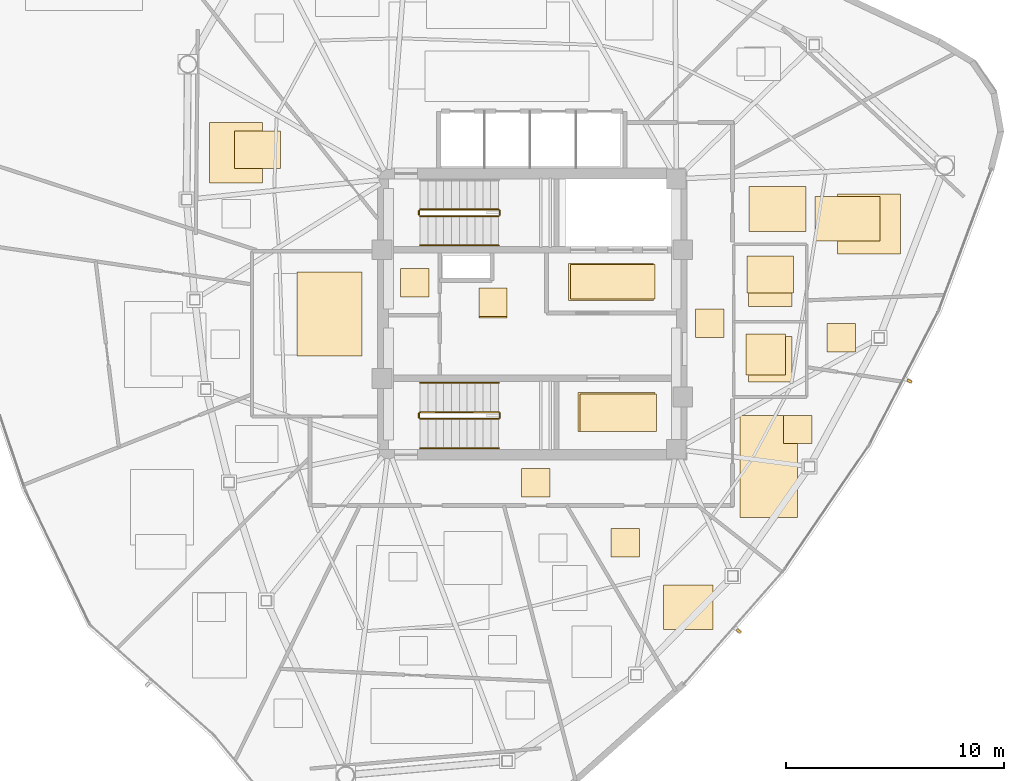
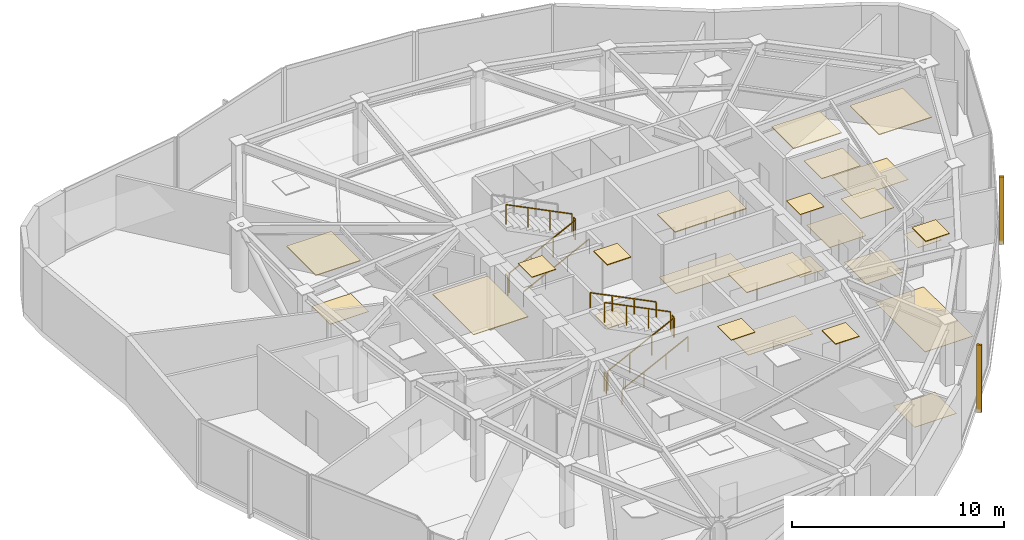
# One storey, part 12 of 13: 25 coverings, 11 railings, 2 shading devices.
"""IFC4 building model written with IfcOpenShell, lengths in metres."""

from ifc_helpers import new_model, si_unit, direction, frame, origin, origin_2d, place, context, subcontext, project, spatial, polyline, rectangle, outline, extrude, source, transform, mapped, material, layer, layer_set, type_object, type_shapes, element, save


model = new_model("IFC4")

# Units and contexts
model_context = context("Model", 3, precision=1e-05, world=origin(), true_north=direction((0.0, 1.0)))
body_context = subcontext(model_context, "Body", "Model", "MODEL_VIEW")
ifc_project = project(units=[si_unit("LENGTHUNIT", "METRE"), si_unit("AREAUNIT", "SQUARE_METRE"), si_unit("VOLUMEUNIT", "CUBIC_METRE"), si_unit("PLANEANGLEUNIT", "RADIAN"), si_unit("MASSUNIT", "GRAM", prefix="KILO")], contexts=[model_context])

# Site, building, storey
site_placement = place(None, origin())
site = spatial("IfcSite", under=ifc_project, at=site_placement, CompositionType="ELEMENT")
building_placement = place(site_placement, origin())
building = spatial("IfcBuilding", under=site, at=building_placement, Name="Tavelor Broadcast Tower", CompositionType="ELEMENT")
storey_placement = place(building_placement, frame((0.0, 0.0, 261.64990234375)))
storey = spatial("IfcBuildingStorey", under=building, at=storey_placement, Name="L62", CompositionType="ELEMENT", Elevation=261.64990234375)

# Coverings
ifc_material_1 = material(Name="Copper-Bronze Anodized Aluminium", Category="aluminium")
ifc_layer_1 = layer(ifc_material_1, 0.044921875)
ifc_layer_set_1 = layer_set([ifc_layer_1], Name="Copper-Bronze Anodized Aluminium")
covering_type_1 = type_object("IfcCoveringType", Name="Anodised Bronze Linear Slatted Concourse Ceiling 45 mm", PredefinedType="CEILING", material=ifc_layer_set_1)
covering_1_placement = place(storey_placement, frame((0.0, 0.0, 3.60498046875)))
element("IfcCovering", 1, at=covering_1_placement, inside=storey, type_object=covering_type_1, Name="L62 Suspended Acoustic Ceiling 2407", PredefinedType="CEILING", context=body_context, shape_type="SweptSolid", body=[
    extrude(outline(polyline([(51.659912109375, 45.6318359375), (55.55712890625, 45.6318359375), (55.55712890625, 47.328125), (51.659912109375, 47.328125), (51.659912109375, 45.6318359375)])), origin(), (0.0, 0.0, 1.0), 0.045166015625),
])
covering_2_placement = place(storey_placement, frame((0.0, 0.0, 3.60498046875)))
element("IfcCovering", 2, at=covering_2_placement, inside=storey, type_object=covering_type_1, Name="L62 Suspended Acoustic Ceiling 2409", PredefinedType="CEILING", context=body_context, shape_type="SweptSolid", body=[
    extrude(outline(polyline([(47.5400390625, 44.89794921875), (48.840087890625, 44.89794921875), (48.840087890625, 46.197998046875), (47.5400390625, 46.197998046875), (47.5400390625, 44.89794921875)])), origin(), (0.0, 0.0, 1.0), 0.045166015625),
])

# Railings
ifc_material_2 = material(Name="Steel S355", Category="steel")
railing_type_1 = type_object("IfcRailingType", Name="Continuous Brushed Stainless Handrail 900 mm", PredefinedType="HANDRAIL", material=ifc_material_2)
for number, where, name in (
    (3, (44.85009765625, 48.14990234375, 0.1796875), "L62 ST1 stair handrail 1"),
    (4, (44.85009765625, 38.85009765625, 0.1796875), "L62 ST2 stair handrail 1"),
):
    element("IfcRailing", number, at=place(storey_placement, frame(where)), inside=storey, type_object=railing_type_1, Name=name, PredefinedType="HANDRAIL", context=body_context, shape_type="SweptSolid", body=[
        extrude(rectangle(XDim=0.048095703125, YDim=0.048095703125, at=origin_2d()), frame((0.0, 0.0, 0.8759765625), z_axis=(0.894875846893, 0.0, 0.446315156192), x_axis=(0.0, 1.0, 0.0)), (0.0, 0.0, 1.0), 4.022705078125),
        extrude(rectangle(XDim=0.0419921875, YDim=0.0419921875, at=origin_2d()), origin(), (0.0, 0.0, 1.0), 0.851806640625),
        extrude(rectangle(XDim=0.0419921875, YDim=0.0419921875, at=origin_2d()), frame((1.199951171875, 0.0, 0.598388671875)), (0.0, 0.0, 1.0), 0.851806640625),
        extrude(rectangle(XDim=0.0419921875, YDim=0.0419921875, at=origin_2d()), frame((2.39990234375, 0.0, 1.197021484375)), (0.0, 0.0, 1.0), 0.851806640625),
        extrude(rectangle(XDim=0.0419921875, YDim=0.0419921875, at=origin_2d()), frame((3.599853515625, 0.0, 1.79541015625)), (0.0, 0.0, 1.0), 0.851806640625),
    ])
railing_1_placement = place(storey_placement, frame((48.449951171875, 41.85009765625, 2.154541015625)))
element("IfcRailing", 5, at=railing_1_placement, inside=storey, type_object=railing_type_1, Name="L62 ST2 stair handrail 2", PredefinedType="HANDRAIL", context=body_context, shape_type="SweptSolid", body=[
    extrude(rectangle(XDim=0.048095703125, YDim=0.048095703125, at=origin_2d()), frame((0.0, 0.0, 0.8759765625), z_axis=(-0.894851606799, 0.0, 0.446363755036), x_axis=(0.0, -1.0, 0.0)), (0.0, 0.0, 1.0), 4.02294921875),
    extrude(rectangle(XDim=0.0419921875, YDim=0.0419921875, at=origin_2d()), origin(), (0.0, 0.0, 1.0), 0.851806640625),
    extrude(rectangle(XDim=0.0419921875, YDim=0.0419921875, at=origin_2d()), frame((-1.199951171875, 0.0, 0.5986328125)), (0.0, 0.0, 1.0), 0.851806640625),
    extrude(rectangle(XDim=0.0419921875, YDim=0.0419921875, at=origin_2d()), frame((-2.39990234375, 0.0, 1.197021484375)), (0.0, 0.0, 1.0), 0.851806640625),
    extrude(rectangle(XDim=0.0419921875, YDim=0.0419921875, at=origin_2d()), frame((-3.599853515625, 0.0, 1.795654296875)), (0.0, 0.0, 1.0), 0.851806640625),
])

# Coverings
ifc_material_3 = material(Name="Architectural Anodized Aluminium", Category="aluminium")
ifc_layer_2 = layer(ifc_material_3, 0.034912109375)
ifc_layer_set_2 = layer_set([ifc_layer_2], Name="Architectural Anodized Aluminium")
covering_type_2 = type_object("IfcCoveringType", Name="Demountable Metal Tile Corridor Ceiling 35 mm", PredefinedType="CEILING", material=ifc_layer_set_2)
covering_3_placement = place(storey_placement, frame((0.0, 0.0, 3.614990234375)))
element("IfcCovering", 6, at=covering_3_placement, inside=storey, type_object=covering_type_2, Name="L62 Suspended Acoustic Ceiling 2411", PredefinedType="CEILING", context=body_context, shape_type="SweptSolid", body=[
    extrude(outline(polyline([(57.489990234375, 43.925048828125), (58.7900390625, 43.925048828125), (58.7900390625, 45.22509765625), (57.489990234375, 45.22509765625), (57.489990234375, 43.925048828125)])), origin(), (0.0, 0.0, 1.0), 0.03515625),
])
covering_4_placement = place(storey_placement, frame((0.0, 0.0, 3.614990234375)))
element("IfcCovering", 7, at=covering_4_placement, inside=storey, type_object=covering_type_2, Name="L62 Suspended Acoustic Ceiling 2412", PredefinedType="CEILING", context=body_context, shape_type="SweptSolid", body=[
    extrude(outline(polyline([(49.51025390625, 36.610107421875), (50.810302734375, 36.610107421875), (50.810302734375, 37.909912109375), (49.51025390625, 37.909912109375), (49.51025390625, 36.610107421875)])), origin(), (0.0, 0.0, 1.0), 0.03515625),
])
ifc_material_4 = material(Name="Acoustic Nylon Carpet Tile")
ifc_layer_3 = layer(ifc_material_4, 0.02001953125)
ifc_layer_set_3 = layer_set([ifc_layer_3], Name="Acoustic Nylon Carpet Tile")
covering_type_3 = type_object("IfcCoveringType", Name="Heavy-Duty Acoustic Broadcast Carpet Tile 20 mm", PredefinedType="FLOORING", material=ifc_layer_set_3)
covering_5_placement = place(storey_placement, origin())
element("IfcCovering", 8, at=covering_5_placement, inside=storey, type_object=covering_type_3, Name="L62 Broadcast Floor Finish 0911", PredefinedType="FLOORING", context=body_context, shape_type="SweptSolid", body=[
    extrude(outline(polyline([(52.176025390625, 39.611328125), (55.694091796875, 39.611328125), (55.694091796875, 41.341552734375), (52.176025390625, 41.341552734375), (52.176025390625, 39.611328125)])), origin(), (0.0, 0.0, 1.0), 0.02001953125),
])
covering_6_placement = place(storey_placement, origin())
element("IfcCovering", 9, at=covering_6_placement, inside=storey, type_object=covering_type_3, Name="L62 Broadcast Floor Finish 0913", PredefinedType="FLOORING", context=body_context, shape_type="SweptSolid", body=[
    extrude(outline(polyline([(57.489990234375, 43.925048828125), (58.7900390625, 43.925048828125), (58.7900390625, 45.22509765625), (57.489990234375, 45.22509765625), (57.489990234375, 43.925048828125)])), origin(), (0.0, 0.0, 1.0), 0.02001953125),
])
covering_7_placement = place(storey_placement, origin())
element("IfcCovering", 10, at=covering_7_placement, inside=storey, type_object=covering_type_3, Name="L62 Broadcast Floor Finish 0917", PredefinedType="FLOORING", context=body_context, shape_type="SweptSolid", body=[
    extrude(outline(polyline([(63.513671875, 43.259521484375), (64.813720703125, 43.259521484375), (64.813720703125, 44.559326171875), (63.513671875, 44.559326171875), (63.513671875, 43.259521484375)])), origin(), (0.0, 0.0, 1.0), 0.02001953125),
])
covering_8_placement = place(storey_placement, origin())
element("IfcCovering", 11, at=covering_8_placement, inside=storey, type_object=covering_type_3, Name="L62 Broadcast Floor Finish 0918", PredefinedType="FLOORING", context=body_context, shape_type="SweptSolid", body=[
    extrude(outline(polyline([(59.53271484375, 35.668212890625), (62.1533203125, 35.668212890625), (62.1533203125, 40.35009765625), (59.53271484375, 40.35009765625), (59.53271484375, 35.668212890625)])), origin(), (0.0, 0.0, 1.0), 0.02001953125),
])
covering_9_placement = place(storey_placement, origin())
element("IfcCovering", 12, at=covering_9_placement, inside=storey, type_object=covering_type_3, Name="L62 Broadcast Floor Finish 0919", PredefinedType="FLOORING", context=body_context, shape_type="SweptSolid", body=[
    extrude(outline(polyline([(56.0078125, 30.545166015625), (58.282958984375, 30.545166015625), (58.282958984375, 32.5751953125), (56.0078125, 32.5751953125), (56.0078125, 30.545166015625)])), origin(), (0.0, 0.0, 1.0), 0.02001953125),
])
covering_10_placement = place(storey_placement, origin())
element("IfcCovering", 13, at=covering_10_placement, inside=storey, type_object=covering_type_3, Name="L62 Broadcast Floor Finish 0923", PredefinedType="FLOORING", context=body_context, shape_type="SweptSolid", body=[
    extrude(outline(polyline([(36.34716796875, 51.6748046875), (38.45751953125, 51.6748046875), (38.45751953125, 53.391357421875), (36.34716796875, 53.391357421875), (36.34716796875, 51.6748046875)])), origin(), (0.0, 0.0, 1.0), 0.02001953125),
])
covering_11_placement = place(storey_placement, origin())
element("IfcCovering", 14, at=covering_11_placement, inside=storey, type_object=covering_type_3, Name="L62 Broadcast Floor Finish 0926", PredefinedType="FLOORING", context=body_context, shape_type="SweptSolid", body=[
    extrude(outline(polyline([(62.96875, 48.350341796875), (65.93603515625, 48.350341796875), (65.93603515625, 50.39599609375), (62.96875, 50.39599609375), (62.96875, 48.350341796875)])), origin(), (0.0, 0.0, 1.0), 0.02001953125),
])
ifc_material_5 = material(Name="Honed Natural Limestone Tile", Category="masonry")
ifc_layer_4 = layer(ifc_material_5, 0.030029296875)
ifc_layer_set_4 = layer_set([ifc_layer_4], Name="Honed Natural Limestone Tile")
covering_type_4 = type_object("IfcCoveringType", Name="Honed Jerusalem Limestone Concourse Flooring 30 mm", PredefinedType="FLOORING", material=ifc_layer_set_4)
covering_12_placement = place(storey_placement, origin())
element("IfcCovering", 15, at=covering_12_placement, inside=storey, type_object=covering_type_4, Name="L62 Broadcast Floor Finish 0910", PredefinedType="FLOORING", context=body_context, shape_type="SweptSolid", body=[
    extrude(outline(polyline([(51.7373046875, 45.689453125), (55.62255859375, 45.689453125), (55.62255859375, 47.2705078125), (51.7373046875, 47.2705078125), (51.7373046875, 45.689453125)])), origin(), (0.0, 0.0, 1.0), 0.030029296875),
])
covering_13_placement = place(storey_placement, origin())
element("IfcCovering", 16, at=covering_13_placement, inside=storey, type_object=covering_type_4, Name="L62 Broadcast Floor Finish 0912", PredefinedType="FLOORING", context=body_context, shape_type="SweptSolid", body=[
    extrude(outline(polyline([(47.5400390625, 44.818115234375), (48.840087890625, 44.818115234375), (48.840087890625, 46.117919921875), (47.5400390625, 46.117919921875), (47.5400390625, 44.818115234375)])), origin(), (0.0, 0.0, 1.0), 0.030029296875),
])
ifc_layer_5 = layer(ifc_material_3, 0.030029296875)
ifc_layer_set_5 = layer_set([ifc_layer_5], Name="Architectural Anodized Aluminium")
covering_type_5 = type_object("IfcCoveringType", Name="Moisture-Resistant Washroom Ceiling 30 mm", PredefinedType="CEILING", material=ifc_layer_set_5)
covering_14_placement = place(storey_placement, frame((0.0, 0.0, 3.6201171875)))
element("IfcCovering", 17, at=covering_14_placement, inside=storey, type_object=covering_type_5, Name="L62 Suspended Acoustic Ceiling 2414", PredefinedType="CEILING", context=body_context, shape_type="SweptSolid", body=[
    extrude(outline(polyline([(59.7958984375, 42.2060546875), (61.615966796875, 42.2060546875), (61.615966796875, 44.0830078125), (59.7958984375, 44.0830078125), (59.7958984375, 42.2060546875)])), origin(), (0.0, 0.0, 1.0), 0.030029296875),
])
covering_15_placement = place(storey_placement, frame((0.0, 0.0, 3.6201171875)))
element("IfcCovering", 18, at=covering_15_placement, inside=storey, type_object=covering_type_5, Name="L62 Suspended Acoustic Ceiling 2415", PredefinedType="CEILING", context=body_context, shape_type="SweptSolid", body=[
    extrude(outline(polyline([(59.85302734375, 45.971435546875), (61.967041015625, 45.971435546875), (61.967041015625, 47.668212890625), (59.85302734375, 47.668212890625), (59.85302734375, 45.971435546875)])), origin(), (0.0, 0.0, 1.0), 0.030029296875),
])
ifc_material_6 = material(Name="Slip-Resistant Porcelain Tile")
ifc_layer_6 = layer(ifc_material_6, 0.02490234375)
ifc_layer_set_6 = layer_set([ifc_layer_6], Name="Slip-Resistant Porcelain Tile")
covering_type_6 = type_object("IfcCoveringType", Name="Slip-Resistant Porcelain Wet-Area Floor Tile 25 mm", PredefinedType="FLOORING", material=ifc_layer_set_6)
covering_16_placement = place(storey_placement, origin())
element("IfcCovering", 19, at=covering_16_placement, inside=storey, type_object=covering_type_6, Name="L62 Broadcast Floor Finish 0915", PredefinedType="FLOORING", context=body_context, shape_type="SweptSolid", body=[
    extrude(outline(polyline([(59.91064453125, 41.885986328125), (61.909423828125, 41.885986328125), (61.909423828125, 43.964111328125), (59.91064453125, 43.964111328125), (59.91064453125, 41.885986328125)])), origin(), (0.0, 0.0, 1.0), 0.025146484375),
])
covering_17_placement = place(storey_placement, origin())
element("IfcCovering", 20, at=covering_17_placement, inside=storey, type_object=covering_type_6, Name="L62 Broadcast Floor Finish 0916", PredefinedType="FLOORING", context=body_context, shape_type="SweptSolid", body=[
    extrude(outline(polyline([(59.91064453125, 45.35009765625), (61.909423828125, 45.35009765625), (61.909423828125, 47.5), (59.91064453125, 47.5), (59.91064453125, 45.35009765625)])), origin(), (0.0, 0.0, 1.0), 0.025146484375),
])

# Railings
railing_type_2 = type_object("IfcRailingType", Name="Stairwell Steel Safety Guardrail 1150 mm", PredefinedType="GUARDRAIL", material=ifc_material_2)
railing_2_placement = place(storey_placement, frame((44.85009765625, 49.5, 0.1796875)))
element("IfcRailing", 21, at=railing_2_placement, inside=storey, type_object=railing_type_2, Name="L62 ST1 stair guard 1", PredefinedType="GUARDRAIL", context=body_context, shape_type="SweptSolid", body=[
    extrude(rectangle(XDim=0.048095703125, YDim=0.048095703125, at=origin_2d()), frame((0.0, 0.0, 1.1259765625), z_axis=(0.894875846893, 0.0, 0.446315156192), x_axis=(0.0, 1.0, 0.0)), (0.0, 0.0, 1.0), 4.022705078125),
    extrude(rectangle(XDim=0.0419921875, YDim=0.0419921875, at=origin_2d()), origin(), (0.0, 0.0, 1.0), 1.101806640625),
    extrude(rectangle(XDim=0.0419921875, YDim=0.0419921875, at=origin_2d()), frame((1.199951171875, 0.0, 0.598388671875)), (0.0, 0.0, 1.0), 1.101806640625),
    extrude(rectangle(XDim=0.0419921875, YDim=0.0419921875, at=origin_2d()), frame((2.39990234375, 0.0, 1.197021484375)), (0.0, 0.0, 1.0), 1.101806640625),
    extrude(rectangle(XDim=0.0419921875, YDim=0.0419921875, at=origin_2d()), frame((3.599853515625, 0.0, 1.79541015625)), (0.0, 0.0, 1.0), 1.101806640625),
])
railing_3_placement = place(storey_placement, frame((48.5, 49.550048828125, 1.97509765625)))
element("IfcRailing", 22, at=railing_3_placement, inside=storey, type_object=railing_type_2, Name="L62 ST1 stair guard 2", PredefinedType="GUARDRAIL", context=body_context, shape_type="SweptSolid", body=[
    extrude(rectangle(XDim=0.048095703125, YDim=0.048095703125, at=origin_2d()), frame((0.0, 0.0, 1.1259765625), z_axis=(0.0, 1.0, 0.0), x_axis=(-1.0, 0.0, 0.0)), (0.0, 0.0, 1.0), 0.199951171875),
    extrude(rectangle(XDim=0.0419921875, YDim=0.0419921875, at=origin_2d()), origin(), (0.0, 0.0, 1.0), 1.101806640625),
    extrude(rectangle(XDim=0.0419921875, YDim=0.0419921875, at=origin_2d()), frame((0.0, 0.199951171875, 0.0)), (0.0, 0.0, 1.0), 1.101806640625),
])
railing_4_placement = place(storey_placement, frame((48.449951171875, 49.800048828125, 2.154541015625)))
element("IfcRailing", 23, at=railing_4_placement, inside=storey, type_object=railing_type_2, Name="L62 ST1 stair guard 3", PredefinedType="GUARDRAIL", context=body_context, shape_type="SweptSolid", body=[
    extrude(rectangle(XDim=0.048095703125, YDim=0.048095703125, at=origin_2d()), frame((0.0, 0.0, 1.1259765625), z_axis=(-0.894851606799, 0.0, 0.446363755036), x_axis=(0.0, -1.0, 0.0)), (0.0, 0.0, 1.0), 4.02294921875),
    extrude(rectangle(XDim=0.0419921875, YDim=0.0419921875, at=origin_2d()), origin(), (0.0, 0.0, 1.0), 1.101806640625),
    extrude(rectangle(XDim=0.0419921875, YDim=0.0419921875, at=origin_2d()), frame((-1.199951171875, 0.0, 0.5986328125)), (0.0, 0.0, 1.0), 1.101806640625),
    extrude(rectangle(XDim=0.0419921875, YDim=0.0419921875, at=origin_2d()), frame((-2.39990234375, 0.0, 1.197021484375)), (0.0, 0.0, 1.0), 1.101806640625),
    extrude(rectangle(XDim=0.0419921875, YDim=0.0419921875, at=origin_2d()), frame((-3.599853515625, 0.0, 1.795654296875)), (0.0, 0.0, 1.0), 1.101806640625),
])
railing_5_placement = place(storey_placement, frame((44.800048828125, 49.550048828125, 0.0)))
element("IfcRailing", 24, at=railing_5_placement, inside=storey, type_object=railing_type_2, Name="L62 ST1 stair guard 4", PredefinedType="GUARDRAIL", context=body_context, shape_type="SweptSolid", body=[
    extrude(rectangle(XDim=0.048095703125, YDim=0.048095703125, at=origin_2d()), frame((0.0, 0.0, 1.1259765625), z_axis=(0.0, 1.0, 0.0), x_axis=(-1.0, 0.0, 0.0)), (0.0, 0.0, 1.0), 0.199951171875),
    extrude(rectangle(XDim=0.0419921875, YDim=0.0419921875, at=origin_2d()), origin(), (0.0, 0.0, 1.0), 1.101806640625),
    extrude(rectangle(XDim=0.0419921875, YDim=0.0419921875, at=origin_2d()), frame((0.0, 0.199951171875, 0.0)), (0.0, 0.0, 1.0), 1.101806640625),
])
railing_6_placement = place(storey_placement, frame((44.85009765625, 40.199951171875, 0.1796875)))
element("IfcRailing", 25, at=railing_6_placement, inside=storey, type_object=railing_type_2, Name="L62 ST2 stair guard 1", PredefinedType="GUARDRAIL", context=body_context, shape_type="SweptSolid", body=[
    extrude(rectangle(XDim=0.048095703125, YDim=0.048095703125, at=origin_2d()), frame((0.0, 0.0, 1.1259765625), z_axis=(0.894875846893, 0.0, 0.446315156192), x_axis=(0.0, 1.0, 0.0)), (0.0, 0.0, 1.0), 4.022705078125),
    extrude(rectangle(XDim=0.0419921875, YDim=0.0419921875, at=origin_2d()), origin(), (0.0, 0.0, 1.0), 1.101806640625),
    extrude(rectangle(XDim=0.0419921875, YDim=0.0419921875, at=origin_2d()), frame((1.199951171875, 0.0, 0.598388671875)), (0.0, 0.0, 1.0), 1.101806640625),
    extrude(rectangle(XDim=0.0419921875, YDim=0.0419921875, at=origin_2d()), frame((2.39990234375, 0.0, 1.197021484375)), (0.0, 0.0, 1.0), 1.101806640625),
    extrude(rectangle(XDim=0.0419921875, YDim=0.0419921875, at=origin_2d()), frame((3.599853515625, 0.0, 1.79541015625)), (0.0, 0.0, 1.0), 1.101806640625),
])
railing_7_placement = place(storey_placement, frame((48.5, 40.25, 1.97509765625)))
element("IfcRailing", 26, at=railing_7_placement, inside=storey, type_object=railing_type_2, Name="L62 ST2 stair guard 2", PredefinedType="GUARDRAIL", context=body_context, shape_type="SweptSolid", body=[
    extrude(rectangle(XDim=0.048095703125, YDim=0.048095703125, at=origin_2d()), frame((0.0, 0.0, 1.1259765625), z_axis=(0.0, 1.0, 0.0), x_axis=(-1.0, 0.0, 0.0)), (0.0, 0.0, 1.0), 0.199951171875),
    extrude(rectangle(XDim=0.0419921875, YDim=0.0419921875, at=origin_2d()), origin(), (0.0, 0.0, 1.0), 1.101806640625),
    extrude(rectangle(XDim=0.0419921875, YDim=0.0419921875, at=origin_2d()), frame((0.0, 0.199951171875, 0.0)), (0.0, 0.0, 1.0), 1.101806640625),
])
railing_8_placement = place(storey_placement, frame((48.449951171875, 40.5, 2.154541015625)))
element("IfcRailing", 27, at=railing_8_placement, inside=storey, type_object=railing_type_2, Name="L62 ST2 stair guard 3", PredefinedType="GUARDRAIL", context=body_context, shape_type="SweptSolid", body=[
    extrude(rectangle(XDim=0.048095703125, YDim=0.048095703125, at=origin_2d()), frame((0.0, 0.0, 1.1259765625), z_axis=(-0.894851606799, 0.0, 0.446363755036), x_axis=(0.0, -1.0, 0.0)), (0.0, 0.0, 1.0), 4.02294921875),
    extrude(rectangle(XDim=0.0419921875, YDim=0.0419921875, at=origin_2d()), origin(), (0.0, 0.0, 1.0), 1.101806640625),
    extrude(rectangle(XDim=0.0419921875, YDim=0.0419921875, at=origin_2d()), frame((-1.199951171875, 0.0, 0.5986328125)), (0.0, 0.0, 1.0), 1.101806640625),
    extrude(rectangle(XDim=0.0419921875, YDim=0.0419921875, at=origin_2d()), frame((-2.39990234375, 0.0, 1.197021484375)), (0.0, 0.0, 1.0), 1.101806640625),
    extrude(rectangle(XDim=0.0419921875, YDim=0.0419921875, at=origin_2d()), frame((-3.599853515625, 0.0, 1.795654296875)), (0.0, 0.0, 1.0), 1.101806640625),
])
railing_9_placement = place(storey_placement, frame((44.800048828125, 40.25, 0.0)))
element("IfcRailing", 28, at=railing_9_placement, inside=storey, type_object=railing_type_2, Name="L62 ST2 stair guard 4", PredefinedType="GUARDRAIL", context=body_context, shape_type="SweptSolid", body=[
    extrude(rectangle(XDim=0.048095703125, YDim=0.048095703125, at=origin_2d()), frame((0.0, 0.0, 1.1259765625), z_axis=(0.0, 1.0, 0.0), x_axis=(-1.0, 0.0, 0.0)), (0.0, 0.0, 1.0), 0.199951171875),
    extrude(rectangle(XDim=0.0419921875, YDim=0.0419921875, at=origin_2d()), origin(), (0.0, 0.0, 1.0), 1.101806640625),
    extrude(rectangle(XDim=0.0419921875, YDim=0.0419921875, at=origin_2d()), frame((0.0, 0.199951171875, 0.0)), (0.0, 0.0, 1.0), 1.101806640625),
])

# Coverings
ifc_material_7 = material(Name="Acoustic Mineral Fibre Tile")
ifc_layer_7 = layer(ifc_material_7, 0.0400390625)
ifc_layer_set_7 = layer_set([ifc_layer_7], Name="Acoustic Mineral Fibre Tile")
covering_type_7 = type_object("IfcCoveringType", Name="Suspended Acoustic Mineral-Fibre Office Ceiling 40 mm", PredefinedType="CEILING", material=ifc_layer_set_7)
covering_18_placement = place(storey_placement, frame((0.0, 0.0, 3.610107421875)))
element("IfcCovering", 29, at=covering_18_placement, inside=storey, type_object=covering_type_7, Name="L62 Suspended Acoustic Ceiling 2408", PredefinedType="CEILING", context=body_context, shape_type="SweptSolid", body=[
    extrude(outline(polyline([(52.098388671875, 39.62255859375), (55.628662109375, 39.62255859375), (55.628662109375, 41.410400390625), (52.098388671875, 41.410400390625), (52.098388671875, 39.62255859375)])), origin(), (0.0, 0.0, 1.0), 0.0400390625),
])
covering_19_placement = place(storey_placement, frame((0.0, 0.0, 3.610107421875)))
element("IfcCovering", 30, at=covering_19_placement, inside=storey, type_object=covering_type_7, Name="L62 Suspended Acoustic Ceiling 2410", PredefinedType="CEILING", context=body_context, shape_type="SweptSolid", body=[
    extrude(outline(polyline([(43.951416015625, 45.794921875), (45.25146484375, 45.794921875), (45.25146484375, 47.094970703125), (43.951416015625, 47.094970703125), (43.951416015625, 45.794921875)])), origin(), (0.0, 0.0, 1.0), 0.0400390625),
])
covering_20_placement = place(storey_placement, frame((0.0, 0.0, 3.610107421875)))
element("IfcCovering", 31, at=covering_20_placement, inside=storey, type_object=covering_type_7, Name="L62 Suspended Acoustic Ceiling 2413", PredefinedType="CEILING", context=body_context, shape_type="SweptSolid", body=[
    extrude(outline(polyline([(39.194580078125, 43.0712890625), (42.177978515625, 43.0712890625), (42.177978515625, 46.927978515625), (39.194580078125, 46.927978515625), (39.194580078125, 43.0712890625)])), origin(), (0.0, 0.0, 1.0), 0.0400390625),
])
covering_21_placement = place(storey_placement, frame((0.0, 0.0, 3.610107421875)))
element("IfcCovering", 32, at=covering_21_placement, inside=storey, type_object=covering_type_7, Name="L62 Suspended Acoustic Ceiling 2416", PredefinedType="CEILING", context=body_context, shape_type="SweptSolid", body=[
    extrude(outline(polyline([(61.521240234375, 39.060302734375), (62.8212890625, 39.060302734375), (62.8212890625, 40.360107421875), (61.521240234375, 40.360107421875), (61.521240234375, 39.060302734375)])), origin(), (0.0, 0.0, 1.0), 0.0400390625),
])
covering_22_placement = place(storey_placement, frame((0.0, 0.0, 3.610107421875)))
element("IfcCovering", 33, at=covering_22_placement, inside=storey, type_object=covering_type_7, Name="L62 Suspended Acoustic Ceiling 2417", PredefinedType="CEILING", context=body_context, shape_type="SweptSolid", body=[
    extrude(outline(polyline([(53.609375, 33.861083984375), (54.9091796875, 33.861083984375), (54.9091796875, 35.1611328125), (53.609375, 35.1611328125), (53.609375, 33.861083984375)])), origin(), (0.0, 0.0, 1.0), 0.0400390625),
])
covering_23_placement = place(storey_placement, frame((0.0, 0.0, 3.610107421875)))
element("IfcCovering", 34, at=covering_23_placement, inside=storey, type_object=covering_type_7, Name="L62 Suspended Acoustic Ceiling 2428", PredefinedType="CEILING", context=body_context, shape_type="SweptSolid", body=[
    extrude(outline(polyline([(35.195068359375, 51.021484375), (37.631591796875, 51.021484375), (37.631591796875, 53.799072265625), (35.195068359375, 53.799072265625), (35.195068359375, 51.021484375)])), origin(), (0.0, 0.0, 1.0), 0.0400390625),
])
covering_24_placement = place(storey_placement, frame((0.0, 0.0, 3.610107421875)))
element("IfcCovering", 35, at=covering_24_placement, inside=storey, type_object=covering_type_7, Name="L62 Suspended Acoustic Ceiling 2435", PredefinedType="CEILING", context=body_context, shape_type="SweptSolid", body=[
    extrude(outline(polyline([(64.003662109375, 47.76220703125), (66.884521484375, 47.76220703125), (66.884521484375, 50.519287109375), (64.003662109375, 50.519287109375), (64.003662109375, 47.76220703125)])), origin(), (0.0, 0.0, 1.0), 0.0400390625),
])
covering_25_placement = place(storey_placement, frame((0.0, 0.0, 3.610107421875)))
element("IfcCovering", 36, at=covering_25_placement, inside=storey, type_object=covering_type_7, Name="L62 Suspended Acoustic Ceiling 2436", PredefinedType="CEILING", context=body_context, shape_type="SweptSolid", body=[
    extrude(outline(polyline([(59.935791015625, 48.78564453125), (62.552734375, 48.78564453125), (62.552734375, 50.858642578125), (59.935791015625, 50.858642578125), (59.935791015625, 48.78564453125)])), origin(), (0.0, 0.0, 1.0), 0.0400390625),
])

# Shading devices
ifc_material_8 = material(Name="Kiln-Fired Glazed Terracotta", Category="masonry")
shading_device_type = type_object("IfcShadingDeviceType", Name="Extruded Terracotta Baguette Sun-Screen 110x240", PredefinedType="JALOUSIE", material=ifc_material_8)
shared_shape = source(origin(), body_context, "Body", "SweptSolid", [
    extrude(rectangle(XDim=0.110107421875, YDim=0.239990234375, at=origin_2d()), origin(), (0.0, 0.0, 1.0), 3.889892578125),
])
type_shapes(shading_device_type, [shared_shape])
for number, where, z_axis, x_axis, name in (
    (37, (59.470947265625, 30.45947265625, -0.259765625), (0.0, 0.0, 1.0), (0.659739387103, 0.751494471773, 0.0), "L62 Terracotta Baguette Fin 645"),
    (38, (67.30126953125, 41.927490234375, -0.259765625), (0.0, 0.0, 1.0), (0.459734862673, 0.888056223469, 0.0), "L62 Terracotta Baguette Fin 646"),
):
    element("IfcShadingDevice", number, at=place(storey_placement, frame(where, z_axis=z_axis, x_axis=x_axis)), inside=storey, type_object=shading_device_type, Name=name, PredefinedType="JALOUSIE", context=body_context, shape_type="MappedRepresentation", body=[
        mapped(shared_shape, transform((0.0, 0.0, 0.0), scale=1.0)),
    ])

save(model, "model.ifc")
